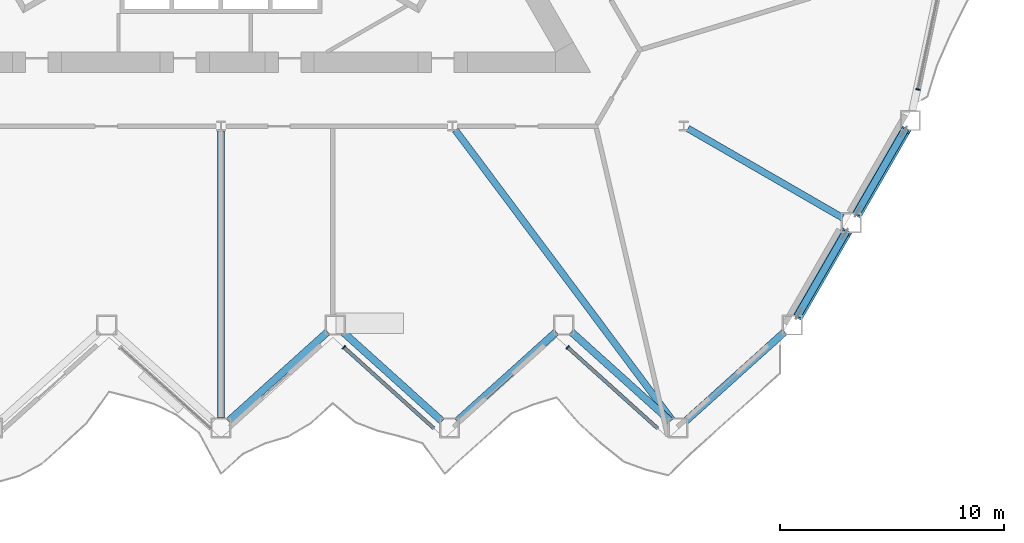
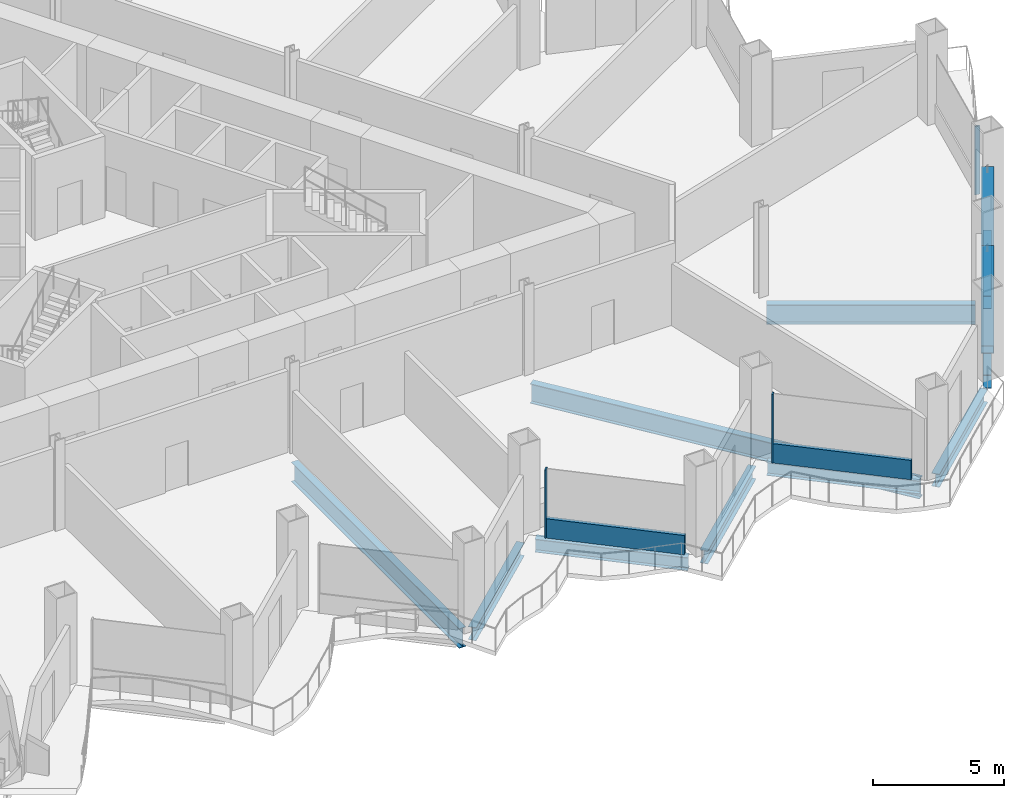
# One storey, part 5 of 21: 10 beams, 7 members, 3 elements without a shape of their own.
"""IFC4 building model written with IfcOpenShell, lengths in metres."""

from ifc_helpers import new_model, si_unit, direction, frame, origin, origin_2d, place, context, subcontext, project, spatial, rectangle, hollow_rectangle, i_section, extrude, material, layer, layer_set, material_profile, profile_set, type_object, element, aggregate, save


model = new_model("IFC4")

# Units and contexts
model_context = context("Model", 3, precision=1e-05, world=origin(), true_north=direction((0.0, 1.0)))
body_context = subcontext(model_context, "Body", "Model", "MODEL_VIEW")
ifc_project = project(units=[si_unit("LENGTHUNIT", "METRE"), si_unit("AREAUNIT", "SQUARE_METRE"), si_unit("VOLUMEUNIT", "CUBIC_METRE"), si_unit("PLANEANGLEUNIT", "RADIAN"), si_unit("MASSUNIT", "GRAM", prefix="KILO")], contexts=[model_context])

# Site, building, storey
site_placement = place(None, origin())
site = spatial("IfcSite", under=ifc_project, at=site_placement, CompositionType="ELEMENT")
building_placement = place(site_placement, origin())
building = spatial("IfcBuilding", under=site, at=building_placement, Name="Cormorant Prow Tower", CompositionType="ELEMENT")
storey_placement = place(building_placement, frame((0.0, 0.0, 103.800048828125)))
storey = spatial("IfcBuildingStorey", under=building, at=storey_placement, Name="L21", CompositionType="ELEMENT", Elevation=103.800048828125)

# Members
ifc_material_1 = material(Name="Structural steel ASTM A500 Gr C", Category="steel")
ifc_material_profile_1 = material_profile(ifc_material_1, hollow_rectangle(XDim=0.508056640625, YDim=0.508056640625, WallThickness=0.014892578125, at=origin_2d()), Name="HSS20x20x5/8")
ifc_profile_set_1 = profile_set([ifc_material_profile_1], Name="Structural steel ASTM A500 Gr C")
member_type_1 = type_object("IfcMemberType", Name="Chamfer brace HSS20x20x5/8", PredefinedType="BRACE", material=ifc_profile_set_1)
for number, where, z_axis, x_axis, name in (
    (1, (25.733642578125, -20.402099609375, 0.776611328125), (0.467784671838, 0.810243526908, 0.35310469821), (-0.866029868417, 0.499992266949, 0.0), "Chamfer brace BR1 at ESE00 L21"),
    (2, (28.368408203125, -15.83837890625, 0.776611328125), (0.467784671838, 0.810243526908, 0.35310469821), (-0.866029868417, 0.499992266949, 0.0), "Chamfer brace BR1 at ESE01 L21"),
):
    element("IfcMember", number, at=place(storey_placement, frame(where, z_axis=z_axis, x_axis=x_axis)), inside=storey, type_object=member_type_1, Name=name, PredefinedType="BRACE", context=body_context, shape_type="SweptSolid", body=[
        extrude(hollow_rectangle(XDim=0.508056640625, YDim=0.508056640625, WallThickness=0.014892578125, at=origin_2d()), origin(), (0.0, 0.0, 1.0), 4.632568359375),
    ])

# Curtain wall, member
ifc_material_2 = material(Name="Aluminium 6063-T6", Category="aluminium")
ifc_layer = layer(ifc_material_2, 0.199951171875)
ifc_layer_set = layer_set([ifc_layer], Name="Aluminium 6063-T6")
curtain_wall_type = type_object("IfcCurtainWallType", Name="Office unitised curtain wall 200", PredefinedType="NOTDEFINED", material=ifc_layer_set)
curtain_wall_1_placement = place(storey_placement, origin())
curtain_wall_1 = element("IfcCurtainWall", 3, at=curtain_wall_1_placement, inside=storey, type_object=curtain_wall_type, Name="Office curtain wall S06", PredefinedType="NOTDEFINED")
ifc_material_3 = material(Name="Aluminium 6063-T6", Category="aluminium")
ifc_material_profile_2 = material_profile(ifc_material_3, rectangle(XDim=0.199951171875, YDim=0.06005859375, at=origin_2d()), Name="Office mullion 60x200")
ifc_profile_set_2 = profile_set([ifc_material_profile_2], Name="Aluminium 6063-T6")
member_type_2 = type_object("IfcMemberType", Name="Office mullion 60x200", PredefinedType="MULLION", material=ifc_profile_set_2)
member_1_placement = place(storey_placement, frame((5.487548828125, -21.800537109375, 0.0), z_axis=(0.0, 0.0, 1.0), x_axis=(0.669130650497, 0.743144785735, 0.0)))
member_1 = element("IfcMember", 4, at=member_1_placement, type_object=member_type_2, Name="Office mullion S06", PredefinedType="MULLION", context=body_context, shape_type="SweptSolid", body=[
    extrude(rectangle(XDim=0.199951171875, YDim=0.06005859375, at=origin_2d()), origin(), (0.0, 0.0, 1.0), 3.18896484375),
])

curtain_wall_2_placement = place(storey_placement, origin())
curtain_wall_2 = element("IfcCurtainWall", 5, at=curtain_wall_2_placement, inside=storey, type_object=curtain_wall_type, Name="Office curtain wall S08", PredefinedType="NOTDEFINED")
member_2_placement = place(storey_placement, frame((15.472900390625, -21.800537109375, 0.0), z_axis=(0.0, 0.0, 1.0), x_axis=(0.669130650497, 0.743144785735, 0.0)))
member_2 = element("IfcMember", 6, at=member_2_placement, type_object=member_type_2, Name="Office mullion S08", PredefinedType="MULLION", context=body_context, shape_type="SweptSolid", body=[
    extrude(rectangle(XDim=0.199951171875, YDim=0.06005859375, at=origin_2d()), origin(), (0.0, 0.0, 1.0), 3.18896484375),
])

curtain_wall_3_placement = place(storey_placement, origin())
curtain_wall_3 = element("IfcCurtainWall", 7, at=curtain_wall_3_placement, inside=storey, type_object=curtain_wall_type, Name="Office curtain wall ENE00", PredefinedType="NOTDEFINED")
member_3_placement = place(storey_placement, frame((31.114013671875, -10.2900390625, 0.0), z_axis=(0.0, 0.0, 1.0), x_axis=(-0.978147583933, 0.207911769861, 0.0)))
member_3 = element("IfcMember", 8, at=member_3_placement, type_object=member_type_2, Name="Office mullion ENE00", PredefinedType="MULLION", context=body_context, shape_type="SweptSolid", body=[
    extrude(rectangle(XDim=0.199951171875, YDim=0.06005859375, at=origin_2d()), origin(), (0.0, 0.0, 1.0), 3.18896484375),
])
aggregate(curtain_wall_3, [member_3])

# Member
ifc_material_4 = material(Name="Terracotta", Category="masonry")
ifc_material_profile_3 = material_profile(ifc_material_4, rectangle(XDim=0.159912109375, YDim=0.89990234375, at=origin_2d()), Name="Office terracotta spandrel rail 160x900")
ifc_profile_set_3 = profile_set([ifc_material_profile_3], Name="Terracotta")
member_type_3 = type_object("IfcMemberType", Name="Office terracotta spandrel rail 160x900", PredefinedType="USERDEFINED", material=ifc_profile_set_3)
member_4_placement = place(storey_placement, frame((5.510009765625, -21.820556640625, 0.449951171875), z_axis=(0.743125087883, -0.669152526528, 0.0), x_axis=(0.669152526528, 0.743125087883, 0.0)))
member_4 = element("IfcMember", 9, at=member_4_placement, type_object=member_type_3, Name="Office spandrel rail S06", ObjectType="TRANSOM", PredefinedType="USERDEFINED", context=body_context, shape_type="SweptSolid", body=[
    extrude(rectangle(XDim=0.159912109375, YDim=0.89990234375, at=origin_2d()), origin(), (0.0, 0.0, 1.0), 5.38623046875),
])

aggregate(curtain_wall_1, [member_1, member_4])

member_5_placement = place(storey_placement, frame((15.495361328125, -21.820556640625, 0.449951171875), z_axis=(0.743125087883, -0.669152526528, 0.0), x_axis=(0.669152526528, 0.743125087883, 0.0)))
member_5 = element("IfcMember", 10, at=member_5_placement, type_object=member_type_3, Name="Office spandrel rail S08", ObjectType="TRANSOM", PredefinedType="USERDEFINED", context=body_context, shape_type="SweptSolid", body=[
    extrude(rectangle(XDim=0.159912109375, YDim=0.89990234375, at=origin_2d()), origin(), (0.0, 0.0, 1.0), 5.38623046875),
])

aggregate(curtain_wall_2, [member_2, member_5])

# Beams
ifc_material_5 = material(Name="Structural steel ASTM A992 Gr 50", Category="steel")
ifc_material_profile_4 = material_profile(ifc_material_5, i_section(OverallWidth=0.3046875, OverallDepth=0.914794921875, WebThickness=0.0166015625, FlangeThickness=0.02587890625, at=origin_2d()), Name="W36x160")
ifc_profile_set_4 = profile_set([ifc_material_profile_4], Name="Structural steel ASTM A992 Gr 50")
beam_type_1 = type_object("IfcBeamType", Name="Radial floor beam W36x160", PredefinedType="BEAM", material=ifc_profile_set_4)
beam_1_placement = place(storey_placement, frame((0.0, -12.143798828125, -0.857421875), z_axis=(0.0, -1.0, 0.0), x_axis=(1.0, 0.0, 0.0)))
element("IfcBeam", 11, at=beam_1_placement, inside=storey, type_object=beam_type_1, Name="Radial floor beam FB1 7 L21", PredefinedType="BEAM", context=body_context, shape_type="SweptSolid", body=[
    extrude(i_section(OverallWidth=0.3046875, OverallDepth=0.914794921875, WebThickness=0.0166015625, FlangeThickness=0.02587890625, at=origin_2d()), origin(), (0.0, 0.0, 1.0), 12.805419921875),
])
beam_2_placement = place(storey_placement, frame((10.458740234375, -12.100341796875, -0.857421875), z_axis=(0.598722444929, -0.800956574315, 0.0), x_axis=(0.800956574315, 0.598722444929, 0.0)))
element("IfcBeam", 12, at=beam_2_placement, inside=storey, type_object=beam_type_1, Name="Radial floor beam FB1 8 L21", PredefinedType="BEAM", context=body_context, shape_type="SweptSolid", body=[
    extrude(i_section(OverallWidth=0.3046875, OverallDepth=0.914794921875, WebThickness=0.0166015625, FlangeThickness=0.02587890625, at=origin_2d()), origin(), (0.0, 0.0, 1.0), 16.15380859375),
])
beam_3_placement = place(storey_placement, frame((20.84521484375, -12.034912109375, -0.857421875), z_axis=(0.866018715534, -0.50001158421, 0.0), x_axis=(0.50001158421, 0.866018715534, 0.0)))
element("IfcBeam", 13, at=beam_3_placement, inside=storey, type_object=beam_type_1, Name="Radial floor beam FB1 9 L21", PredefinedType="BEAM", context=body_context, shape_type="SweptSolid", body=[
    extrude(i_section(OverallWidth=0.3046875, OverallDepth=0.914794921875, WebThickness=0.0166015625, FlangeThickness=0.02587890625, at=origin_2d()), origin(), (0.0, 0.0, 1.0), 7.967041015625),
])
ifc_material_6 = material(Name="Structural steel ASTM A992 Gr 50", Category="steel")
ifc_material_profile_5 = material_profile(ifc_material_6, i_section(OverallWidth=0.32373046875, OverallDepth=0.611083984375, WebThickness=0.0126953125, FlangeThickness=0.01904296875, at=origin_2d()), Name="W24x104")
ifc_profile_set_5 = profile_set([ifc_material_profile_5], Name="Structural steel ASTM A992 Gr 50")
beam_type_2 = type_object("IfcBeamType", Name="Spandrel beam W24x104", PredefinedType="SPANDREL", material=ifc_profile_set_5)
for number, where, z_axis, x_axis, name in (
    (14, (0.33447265625, -25.09814453125, -0.70556640625), (0.743131253571, 0.66914567918, 0.0), (-0.66914567918, 0.743131253571, 0.0), "Spandrel beam SB1 S05-S06 L21"),
    (15, (5.434326171875, -21.108154296875, -0.70556640625), (0.743131253571, -0.66914567918, 0.0), (0.66914567918, 0.743131253571, 0.0), "Spandrel beam SB1 S06-S07 L21"),
    (16, (10.5341796875, -25.09814453125, -0.70556640625), (0.743131253571, 0.66914567918, 0.0), (-0.66914567918, 0.743131253571, 0.0), "Spandrel beam SB1 S07-S08 L21"),
    (17, (15.63427734375, -21.108154296875, -0.70556640625), (0.743131253571, -0.66914567918, 0.0), (0.66914567918, 0.743131253571, 0.0), "Spandrel beam SB1 S08-S09 L21"),
    (18, (20.734130859375, -25.09814453125, -0.70556640625), (0.743131253571, 0.66914567918, 0.0), (-0.66914567918, 0.743131253571, 0.0), "Spandrel beam SB1 S09-ESE00 L21"),
):
    element("IfcBeam", number, at=place(storey_placement, frame(where, z_axis=z_axis, x_axis=x_axis)), inside=storey, type_object=beam_type_2, Name=name, PredefinedType="SPANDREL", context=body_context, shape_type="SweptSolid", body=[
        extrude(i_section(OverallWidth=0.32373046875, OverallDepth=0.611083984375, WebThickness=0.0126953125, FlangeThickness=0.01904296875, at=origin_2d()), origin(), (0.0, 0.0, 1.0), 5.962890625),
    ])
for number, where, z_axis, x_axis, name in (
    (19, (25.724609375, -20.41748046875, -0.70556640625), (0.500002967982, 0.866023690213, 0.0), (-0.866023690213, 0.500002967982, 0.0), "Spandrel beam SB1 ESE00-ESE01 L21"),
    (20, (28.359619140625, -15.853759765625, -0.70556640625), (0.500002967982, 0.866023690213, 0.0), (-0.866023690213, 0.500002967982, 0.0), "Spandrel beam SB1 ESE01-ENE00 L21"),
):
    element("IfcBeam", number, at=place(storey_placement, frame(where, z_axis=z_axis, x_axis=x_axis)), inside=storey, type_object=beam_type_2, Name=name, PredefinedType="SPANDREL", context=body_context, shape_type="SweptSolid", body=[
        extrude(i_section(OverallWidth=0.32373046875, OverallDepth=0.611083984375, WebThickness=0.0126953125, FlangeThickness=0.01904296875, at=origin_2d()), origin(), (0.0, 0.0, 1.0), 4.36962890625),
    ])

save(model, "model.ifc")
